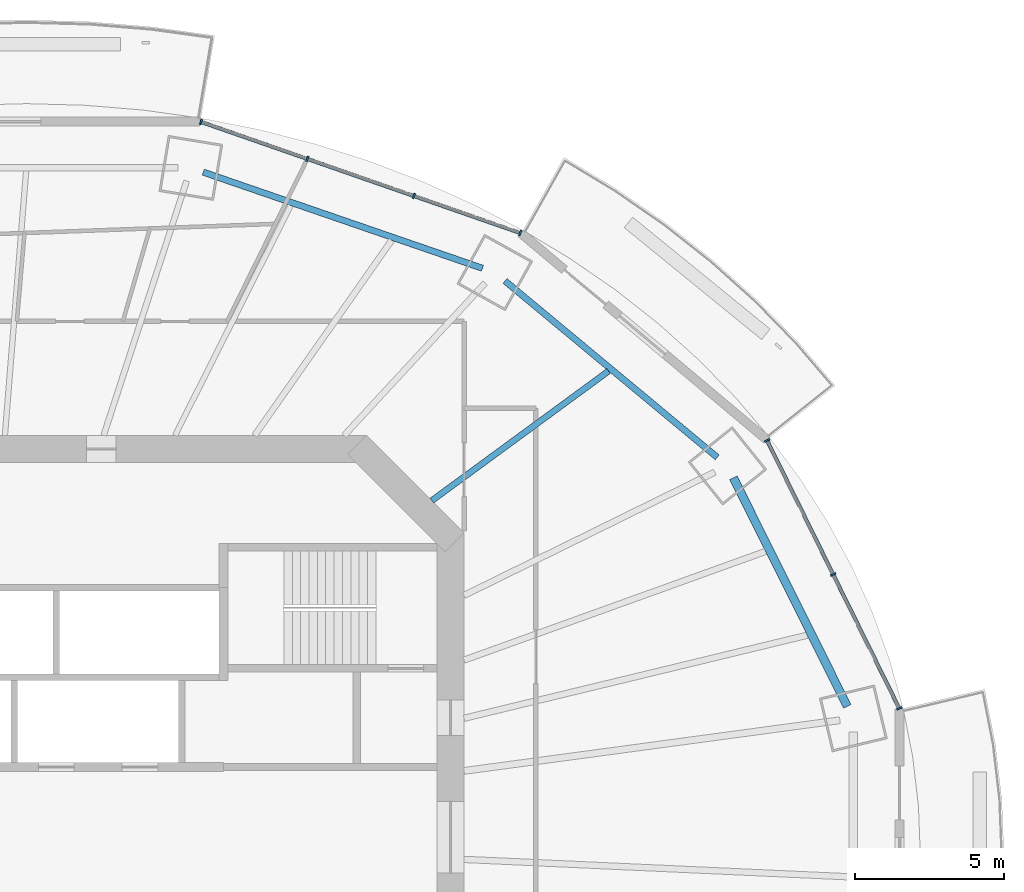
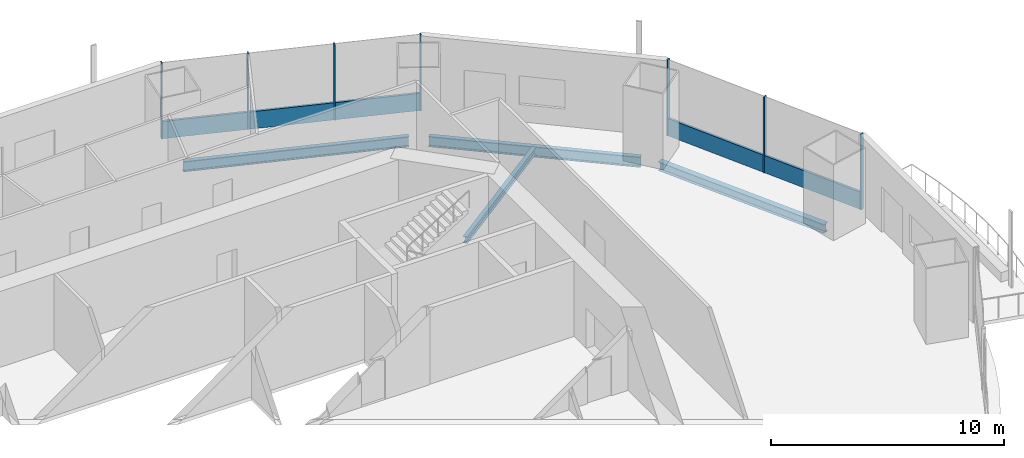
# One storey, part 8 of 19: 9 members, 4 beams, 2 elements without a shape of their own.
"""IFC4 building model written with IfcOpenShell, lengths in metres."""

from ifc_helpers import new_model, si_unit, direction, frame, origin, origin_2d, place, context, subcontext, project, spatial, rectangle, i_section, extrude, material, material_profile, profile_set, type_object, element, aggregate, save


model = new_model("IFC4")

# Units and contexts
model_context = context("Model", 3, precision=1e-05, world=origin(), true_north=direction((0.0, 1.0)))
body_context = subcontext(model_context, "Body", "Model", "MODEL_VIEW")
ifc_project = project(units=[si_unit("LENGTHUNIT", "METRE"), si_unit("AREAUNIT", "SQUARE_METRE"), si_unit("VOLUMEUNIT", "CUBIC_METRE"), si_unit("PLANEANGLEUNIT", "RADIAN"), si_unit("MASSUNIT", "GRAM", prefix="KILO")], contexts=[model_context])

# Site, building, storey
site_placement = place(None, origin())
site = spatial("IfcSite", under=ifc_project, at=site_placement, CompositionType="ELEMENT")
building_placement = place(site_placement, origin())
building = spatial("IfcBuilding", under=site, at=building_placement, Name="Marenthal Gate Tower", CompositionType="ELEMENT")
storey_placement = place(building_placement, frame((0.0, 0.0, 252.35009765625)))
storey = spatial("IfcBuildingStorey", under=building, at=storey_placement, Name="L56", CompositionType="ELEMENT", Elevation=252.35009765625)

# Curtain wall, members
ifc_material_1 = material(Name="Aluminium and glass", Category="aluminium")
curtain_wall_type = type_object("IfcCurtainWallType", Name="Curtain wall typical mid", PredefinedType="NOTDEFINED", material=ifc_material_1)
curtain_wall_1_placement = place(storey_placement, origin())
curtain_wall_1 = element("IfcCurtainWall", 1, at=curtain_wall_1_placement, inside=storey, type_object=curtain_wall_type, Name="Curtain wall L56 bay 1", PredefinedType="NOTDEFINED")
ifc_material_2 = material(Name="Aluminium", Category="aluminium")
ifc_material_profile_1 = material_profile(ifc_material_2, rectangle(XDim=0.179931640625, YDim=0.06005859375, at=origin_2d()), Name="60x180 aluminium mullion")
ifc_profile_set_1 = profile_set([ifc_material_profile_1], Name="Aluminium")
member_type_1 = type_object("IfcMemberType", Name="Mullion 60x180 typical mid", PredefinedType="MULLION", material=ifc_profile_set_1)
member_1_placement = place(storey_placement, frame((31.01708984375, 4.310791015625, 0.0), z_axis=(0.0, 0.0, 1.0), x_axis=(-0.896882319585, -0.44226926732, 0.0)))
member_1 = element("IfcMember", 2, at=member_1_placement, type_object=member_type_1, Name="Mullion L56 bay 1.1", PredefinedType="MULLION", context=body_context, shape_type="SweptSolid", body=[
    extrude(rectangle(XDim=0.179931640625, YDim=0.06005859375, at=origin_2d()), origin(), (0.0, 0.0, 1.0), 3.969970703125),
])
member_2_placement = place(storey_placement, frame((28.80517578125, 8.796142578125, 0.0), z_axis=(0.0, 0.0, 1.0), x_axis=(-0.896882319585, -0.44226926732, 0.0)))
member_2 = element("IfcMember", 3, at=member_2_placement, type_object=member_type_1, Name="Mullion L56 bay 1.2", PredefinedType="MULLION", context=body_context, shape_type="SweptSolid", body=[
    extrude(rectangle(XDim=0.179931640625, YDim=0.06005859375, at=origin_2d()), origin(), (0.0, 0.0, 1.0), 3.969970703125),
])
member_3_placement = place(storey_placement, frame((26.593505859375, 13.28125, 0.0), z_axis=(0.0, 0.0, 1.0), x_axis=(-0.896882319585, -0.44226926732, 0.0)))
member_3 = element("IfcMember", 4, at=member_3_placement, type_object=member_type_1, Name="Mullion L56 bay 1.3", PredefinedType="MULLION", context=body_context, shape_type="SweptSolid", body=[
    extrude(rectangle(XDim=0.179931640625, YDim=0.06005859375, at=origin_2d()), origin(), (0.0, 0.0, 1.0), 3.969970703125),
])

curtain_wall_2_placement = place(storey_placement, origin())
curtain_wall_2 = element("IfcCurtainWall", 5, at=curtain_wall_2_placement, inside=storey, type_object=curtain_wall_type, Name="Curtain wall L56 bay 3", PredefinedType="NOTDEFINED")
member_4_placement = place(storey_placement, frame((18.329345703125, 20.224853515625, 0.0), z_axis=(0.0, 0.0, 1.0), x_axis=(-0.328612003593, -0.944465007872, 0.0)))
member_4 = element("IfcMember", 6, at=member_4_placement, type_object=member_type_1, Name="Mullion L56 bay 3.1", PredefinedType="MULLION", context=body_context, shape_type="SweptSolid", body=[
    extrude(rectangle(XDim=0.179931640625, YDim=0.06005859375, at=origin_2d()), origin(), (0.0, 0.0, 1.0), 3.969970703125),
])
member_5_placement = place(storey_placement, frame((14.76708984375, 21.46435546875, 0.0), z_axis=(0.0, 0.0, 1.0), x_axis=(-0.328612003593, -0.944465007872, 0.0)))
member_5 = element("IfcMember", 7, at=member_5_placement, type_object=member_type_1, Name="Mullion L56 bay 3.2", PredefinedType="MULLION", context=body_context, shape_type="SweptSolid", body=[
    extrude(rectangle(XDim=0.179931640625, YDim=0.06005859375, at=origin_2d()), origin(), (0.0, 0.0, 1.0), 3.969970703125),
])
member_6_placement = place(storey_placement, frame((11.204833984375, 22.70361328125, 0.0), z_axis=(0.0, 0.0, 1.0), x_axis=(-0.328612003593, -0.944465007872, 0.0)))
member_6 = element("IfcMember", 8, at=member_6_placement, type_object=member_type_1, Name="Mullion L56 bay 3.3", PredefinedType="MULLION", context=body_context, shape_type="SweptSolid", body=[
    extrude(rectangle(XDim=0.179931640625, YDim=0.06005859375, at=origin_2d()), origin(), (0.0, 0.0, 1.0), 3.969970703125),
])
member_7_placement = place(storey_placement, frame((7.642578125, 23.943115234375, 0.0), z_axis=(0.0, 0.0, 1.0), x_axis=(-0.328612003593, -0.944465007872, 0.0)))
member_7 = element("IfcMember", 9, at=member_7_placement, type_object=member_type_1, Name="Mullion L56 bay 3.4", PredefinedType="MULLION", context=body_context, shape_type="SweptSolid", body=[
    extrude(rectangle(XDim=0.179931640625, YDim=0.06005859375, at=origin_2d()), origin(), (0.0, 0.0, 1.0), 3.969970703125),
])

# Member
ifc_material_3 = material(Name="Aluminium", Category="aluminium")
ifc_material_profile_2 = material_profile(ifc_material_3, rectangle(XDim=0.1201171875, YDim=0.89990234375, at=origin_2d()), Name="120x900 aluminium transom")
ifc_profile_set_2 = profile_set([ifc_material_profile_2], Name="Aluminium")
member_type_2 = type_object("IfcMemberType", Name="Transom 120x900 typical mid", PredefinedType="USERDEFINED", material=ifc_profile_set_2)
member_8_placement = place(storey_placement, frame((31.003662109375, 4.337646484375, 0.449951171875), z_axis=(-0.442255953319, 0.896888884842, 0.0), x_axis=(-0.896888884842, -0.442255953319, 0.0)))
member_8 = element("IfcMember", 10, at=member_8_placement, type_object=member_type_2, Name="Transom L56 bay 1", ObjectType="TRANSOM", PredefinedType="USERDEFINED", context=body_context, shape_type="SweptSolid", body=[
    extrude(rectangle(XDim=0.1201171875, YDim=0.89990234375, at=origin_2d()), origin(), (0.0, 0.0, 1.0), 9.941650390625),
])

aggregate(curtain_wall_1, [member_1, member_2, member_3, member_8])

member_9_placement = place(storey_placement, frame((18.301025390625, 20.234619140625, 0.449951171875), z_axis=(-0.944461090095, 0.328623263474, 0.0), x_axis=(-0.328623263474, -0.944461090095, 0.0)))
member_9 = element("IfcMember", 11, at=member_9_placement, type_object=member_type_2, Name="Transom L56 bay 3", ObjectType="TRANSOM", PredefinedType="USERDEFINED", context=body_context, shape_type="SweptSolid", body=[
    extrude(rectangle(XDim=0.1201171875, YDim=0.89990234375, at=origin_2d()), origin(), (0.0, 0.0, 1.0), 11.255126953125),
])

aggregate(curtain_wall_2, [member_4, member_5, member_6, member_7, member_9])

# Beams
ifc_material_4 = material(Name="Steel S355", Category="steel")
ifc_material_profile_3 = material_profile(ifc_material_4, i_section(OverallWidth=0.205078125, OverallDepth=0.35302734375, WebThickness=0.009521484375, FlangeThickness=0.016845703125, FilletRadius=0.014892578125, at=origin_2d()), Name="W360X79")
ifc_profile_set_3 = profile_set([ifc_material_profile_3], Name="Steel S355")
beam_type_1 = type_object("IfcBeamType", Name="W360X79 beam", PredefinedType="BEAM", material=ifc_profile_set_3)
beam_1_placement = place(storey_placement, frame((21.28515625, 15.601318359375, -0.356689453125), z_axis=(-0.806555263044, -0.591158699214, 0.0), x_axis=(0.591158699214, -0.806555263044, 0.0)))
element("IfcBeam", 12, at=beam_1_placement, inside=storey, type_object=beam_type_1, Name="BM-L56-19", PredefinedType="BEAM", context=body_context, shape_type="SweptSolid", body=[
    extrude(i_section(OverallWidth=0.205078125, OverallDepth=0.35302734375, WebThickness=0.009521484375, FlangeThickness=0.016845703125, FilletRadius=0.014892578125, at=origin_2d()), origin(), (0.0, 0.0, 1.0), 7.33349609375),
])
ifc_material_5 = material(Name="Steel S355", Category="steel")
ifc_material_profile_4 = material_profile(ifc_material_5, i_section(OverallWidth=0.279052734375, OverallDepth=0.4619140625, WebThickness=0.0107421875, FlangeThickness=0.017333984375, FilletRadius=0.010009765625, at=origin_2d()), Name="W460X113")
ifc_profile_set_4 = profile_set([ifc_material_profile_4], Name="Steel S355")
beam_type_2 = type_object("IfcBeamType", Name="W460X113 beam", PredefinedType="BEAM", material=ifc_profile_set_4)
beam_2_placement = place(storey_placement, frame((29.2802734375, 4.3779296875, -0.4111328125), z_axis=(-0.446105412594, 0.894980424844, 0.0), x_axis=(-0.894980424844, -0.446105412594, 0.0)))
element("IfcBeam", 13, at=beam_2_placement, inside=storey, type_object=beam_type_2, Name="BM-L56-41", PredefinedType="BEAM", context=body_context, shape_type="SweptSolid", body=[
    extrude(i_section(OverallWidth=0.279052734375, OverallDepth=0.4619140625, WebThickness=0.0107421875, FlangeThickness=0.017333984375, FilletRadius=0.010009765625, at=origin_2d()), origin(), (0.0, 0.0, 1.0), 8.550537109375),
])
ifc_material_6 = material(Name="Steel S355", Category="steel")
ifc_material_profile_5 = material_profile(ifc_material_6, i_section(OverallWidth=0.2119140625, OverallDepth=0.5439453125, WebThickness=0.01318359375, FlangeThickness=0.021240234375, FilletRadius=0.0126953125, at=origin_2d()), Name="W530X123")
ifc_profile_set_5 = profile_set([ifc_material_profile_5], Name="Steel S355")
beam_type_3 = type_object("IfcBeamType", Name="W530X123 beam", PredefinedType="BEAM", material=ifc_profile_set_5)
beam_3_placement = place(storey_placement, frame((24.92529296875, 12.714111328125, -0.4521484375), z_axis=(-0.769104243953, 0.639123354239, 0.0), x_axis=(-0.639123354239, -0.769104243953, 0.0)))
element("IfcBeam", 14, at=beam_3_placement, inside=storey, type_object=beam_type_3, Name="BM-L56-42", PredefinedType="BEAM", context=body_context, shape_type="SweptSolid", body=[
    extrude(i_section(OverallWidth=0.2119140625, OverallDepth=0.5439453125, WebThickness=0.01318359375, FlangeThickness=0.021240234375, FilletRadius=0.0126953125, at=origin_2d()), origin(), (0.0, 0.0, 1.0), 9.2392578125),
])
beam_4_placement = place(storey_placement, frame((17.064453125, 19.044189453125, -0.4521484375), z_axis=(-0.945547432883, 0.32548433475, 0.0), x_axis=(-0.32548433475, -0.945547432883, 0.0)))
element("IfcBeam", 15, at=beam_4_placement, inside=storey, type_object=beam_type_3, Name="BM-L56-43", PredefinedType="BEAM", context=body_context, shape_type="SweptSolid", body=[
    extrude(i_section(OverallWidth=0.2119140625, OverallDepth=0.5439453125, WebThickness=0.01318359375, FlangeThickness=0.021240234375, FilletRadius=0.0126953125, at=origin_2d()), origin(), (0.0, 0.0, 1.0), 9.88232421875),
])

save(model, "model.ifc")
